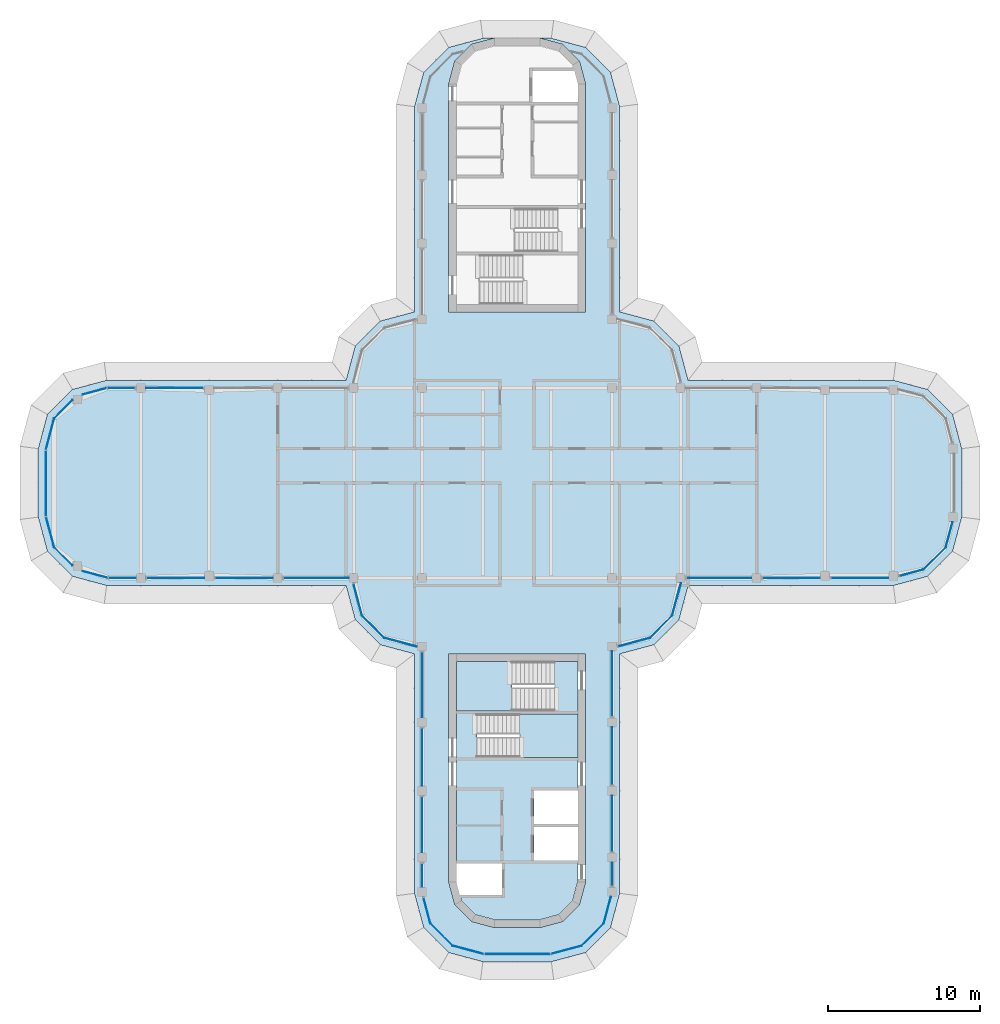
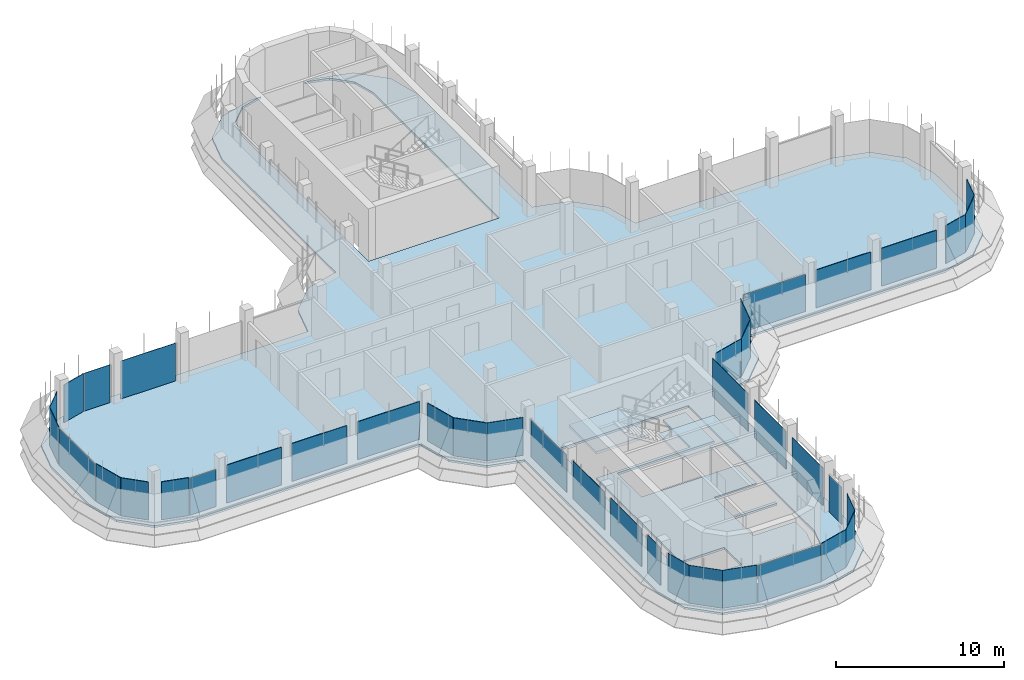
# One storey, part 11 of 19: 40 plates, 4 slabs, 30 elements without a shape of their own.
"""IFC4 building model written with IfcOpenShell, lengths in metres."""

from ifc_helpers import new_model, si_unit, direction, frame, origin, place, context, subcontext, project, spatial, polyline, outline, extrude, source, transform, mapped, material, layer, layer_set, type_object, element, aggregate, save


model = new_model("IFC4")

# Units and contexts
model_context = context("Model", 3, precision=1e-05, world=origin(), true_north=direction((0.0, 1.0)))
body_context = subcontext(model_context, "Body", "Model", "MODEL_VIEW")
ifc_project = project(units=[si_unit("LENGTHUNIT", "METRE"), si_unit("AREAUNIT", "SQUARE_METRE"), si_unit("VOLUMEUNIT", "CUBIC_METRE"), si_unit("PLANEANGLEUNIT", "RADIAN"), si_unit("MASSUNIT", "GRAM", prefix="KILO")], contexts=[model_context])

# Site, building, storey
site_placement = place(None, origin())
site = spatial("IfcSite", under=ifc_project, at=site_placement, CompositionType="ELEMENT")
building_placement = place(site_placement, origin())
building = spatial("IfcBuilding", under=site, at=building_placement, Name="Zarbagh Exchange Tower", CompositionType="ELEMENT")
storey_placement = place(building_placement, frame((0.0, 0.0, 257.39990234375)))
storey = spatial("IfcBuildingStorey", under=building, at=storey_placement, Name="L63", CompositionType="ELEMENT", Elevation=257.39990234375)

# Slabs
ifc_material_1 = material(Name="Concrete C40/50", Category="concrete")
ifc_layer_1 = layer(ifc_material_1, 0.14990234375)
ifc_layer_set_1 = layer_set([ifc_layer_1], Name="Composite floor slab 150 C40/50")
slab_type_1 = type_object("IfcSlabType", Name="Composite floor slab 150 C40/50", PredefinedType="FLOOR", material=ifc_layer_set_1)
slab_1_placement = place(storey_placement, frame((0.0, 0.0, -0.14990234375)))
element("IfcSlab", 1, at=slab_1_placement, inside=storey, type_object=slab_type_1, Name="S5 composite floor slab", PredefinedType="FLOOR", context=body_context, shape_type="SweptSolid", body=[
    extrude(outline(polyline([(-2.25, -31.5), (-4.5, -30.897216796875), (-6.147216796875, -29.25), (-6.75, -27.0), (-6.75, -11.25), (-9.0, -10.647216796875), (-10.647216796875, -9.0), (-11.25, -6.75), (-27.0, -6.75), (-29.25, -6.147216796875), (-30.897216796875, -4.5), (-31.5, -2.25), (-31.5, 2.25), (-30.897216796875, 4.5), (-29.25, 6.147216796875), (-27.0, 6.75), (-11.25, 6.75), (-10.647216796875, 9.0), (-9.0, 10.647216796875), (-6.75, 11.25), (-6.75, 24.75), (-6.147216796875, 27.0), (-4.5, 28.647216796875), (-2.25, 29.25), (-1.5, 29.25), (-3.0, 28.84814453125), (-4.09814453125, 27.75), (-4.5, 26.25), (-4.5, 11.25), (4.5, 11.25), (4.5, 26.25), (4.09814453125, 27.75), (3.0, 28.84814453125), (1.5, 29.25), (2.25, 29.25), (4.5, 28.647216796875), (6.147216796875, 27.0), (6.75, 24.75), (6.75, 11.25), (9.0, 10.647216796875), (10.647216796875, 9.0), (11.25, 6.75), (24.75, 6.75), (27.0, 6.147216796875), (28.647216796875, 4.5), (29.25, 2.25), (29.25, -2.25), (28.647216796875, -4.5), (27.0, -6.147216796875), (24.75, -6.75), (11.25, -6.75), (10.647216796875, -9.0), (9.0, -10.647216796875), (6.75, -11.25), (6.75, -27.0), (6.147216796875, -29.25), (4.5, -30.897216796875), (2.25, -31.5), (-2.25, -31.5)]), holes=[polyline([(-1.5, -29.25), (1.5, -29.25), (3.0, -28.84814453125), (4.09814453125, -27.75), (4.5, -26.25), (4.5, -11.25), (-4.5, -11.25), (-4.5, -26.25), (-4.09814453125, -27.75), (-3.0, -28.84814453125), (-1.5, -29.25)])]), origin(), (0.0, 0.0, 1.0), 0.14990234375),
])
ifc_layer_2 = layer(ifc_material_1, 0.14990234375)
ifc_layer_set_2 = layer_set([ifc_layer_2], Name="Core floor slab 150 C40/50")
slab_type_2 = type_object("IfcSlabType", Name="Core floor slab 150 C40/50", PredefinedType="FLOOR", material=ifc_layer_set_2)
slab_2_placement = place(storey_placement, frame((0.0, 0.0, -0.14990234375)))
element("IfcSlab", 2, at=slab_2_placement, inside=storey, type_object=slab_type_2, Name="S17 core S", PredefinedType="FLOOR", context=body_context, shape_type="SweptSolid", body=[
    extrude(outline(polyline([(-2.7412109375, -28.39990234375), (-3.64990234375, -27.4912109375), (-3.857666015625, -26.715087890625), (-3.754638671875, -27.10009765625), (-1.0, -27.10009765625), (-1.0, -25.050048828125), (-4.0, -25.050048828125), (-4.0, -15.0), (2.449951171875, -15.0), (2.449951171875, -11.75), (4.0, -11.75), (4.0, -15.199951171875), (-2.64990234375, -15.199951171875), (-2.64990234375, -18.050048828125), (4.0, -18.050048828125), (4.0, -20.25), (1.10009765625, -20.25), (1.10009765625, -22.449951171875), (4.0, -22.449951171875), (4.0, -22.64990234375), (1.10009765625, -22.64990234375), (1.10009765625, -24.85009765625), (4.0, -24.85009765625), (4.0, -26.18408203125), (3.64990234375, -27.4912109375), (2.7412109375, -28.39990234375), (1.43408203125, -28.75), (-1.43408203125, -28.75), (-2.7412109375, -28.39990234375)])), origin(), (0.0, 0.0, 1.0), 0.14990234375),
])

# Stair, slab
stair_type = type_object("IfcStairType", Name="Exit stair two-flight half-turn", PredefinedType="HALF_TURN_STAIR", material=ifc_material_1)
stair_1_placement = place(storey_placement, origin())
stair_1 = element("IfcStair", 3, at=stair_1_placement, inside=storey, type_object=stair_type, Name="exit stair ST3", PredefinedType="HALF_TURN_STAIR")
ifc_layer_3 = layer(ifc_material_1, 0.199951171875)
ifc_layer_set_3 = layer_set([ifc_layer_3], Name="Stair landing 200 mm")
slab_type_3 = type_object("IfcSlabType", Name="Stair landing 200 mm", PredefinedType="LANDING", material=ifc_layer_set_3)
slab_3_placement = place(storey_placement, frame((0.0, 0.0, 1.7001953125)))
slab_3 = element("IfcSlab", 4, at=slab_3_placement, type_object=slab_type_3, Name="ST3 landing 1", PredefinedType="LANDING", context=body_context, shape_type="SweptSolid", body=[
    extrude(outline(polyline([(0.14990234375, -18.050048828125), (4.0, -18.050048828125), (4.0, -15.199951171875), (0.14990234375, -15.199951171875), (0.14990234375, -18.050048828125)])), origin(), (0.0, 0.0, 1.0), 0.199951171875),
])
aggregate(stair_1, [slab_3])

stair_2_placement = place(storey_placement, origin())
stair_2 = element("IfcStair", 5, at=stair_2_placement, inside=storey, type_object=stair_type, Name="exit stair ST4", PredefinedType="HALF_TURN_STAIR")
slab_4_placement = place(storey_placement, frame((0.0, 0.0, 1.7001953125)))
slab_4 = element("IfcSlab", 6, at=slab_4_placement, type_object=slab_type_3, Name="ST4 landing 1", PredefinedType="LANDING", context=body_context, shape_type="SweptSolid", body=[
    extrude(outline(polyline([(-0.35009765625, -11.75), (-4.0, -11.75), (-4.0, -15.0), (-0.35009765625, -15.0), (-0.35009765625, -11.75)])), origin(), (0.0, 0.0, 1.0), 0.199951171875),
])
aggregate(stair_2, [slab_4])

# Curtain wall, plate
ifc_material_2 = material(Name="Anodised aluminium frame and glazing", Category="aluminium")
curtain_wall_type = type_object("IfcCurtainWallType", Name="CWB Ribbon glazing, upper zones", PredefinedType="NOTDEFINED", material=ifc_material_2)
curtain_wall_1_placement = place(storey_placement, origin())
curtain_wall_1 = element("IfcCurtainWall", 7, at=curtain_wall_1_placement, inside=storey, type_object=curtain_wall_type, Name="CWB50 curtain wall", PredefinedType="NOTDEFINED")
ifc_material_3 = material(Name="Low-e double glazed unit, 6+12+6 mm")
ifc_layer_4 = layer(ifc_material_3, 0.031982421875)
ifc_layer_set_4 = layer_set([ifc_layer_4], Name="PAB Glazing panel, Low-e double glazed unit, 6+12+6 mm")
plate_type = type_object("IfcPlateType", Name="PAB Glazing panel, Low-e double glazed unit, 6+12+6 mm", PredefinedType="CURTAIN_PANEL", material=ifc_layer_set_4)
shared_shape_1 = source(origin(), body_context, "Body", "SweptSolid", [
    extrude(outline(polyline([(0.0, -0.01611328125), (2.061279296875, -0.01611328125), (2.061279296875, 0.01611328125), (0.0, 0.01611328125), (0.0, -0.01611328125)])), origin(), (0.0, 0.0, 1.0), 2.75),
])
placement = place(storey_placement, origin())
plate_1 = element("IfcPlate", 8, at=placement, type_object=plate_type, Name="CWB50 glazing panel 1.1", PredefinedType="CURTAIN_PANEL", context=body_context, shape_type="MappedRepresentation", body=[
    mapped(shared_shape_1, transform((4.2412109375, -30.44873046875, 0.0), x_axis=(0.707106781187, 0.707106781187, 0.0), y_axis=(-0.707106781187, 0.707106781187, 0.0), z_axis=(0.0, 0.0, 1.0))),
])
aggregate(curtain_wall_1, [plate_1])

curtain_wall_2_placement = place(storey_placement, origin())
curtain_wall_2 = element("IfcCurtainWall", 9, at=curtain_wall_2_placement, inside=storey, type_object=curtain_wall_type, Name="CWB06 curtain wall", PredefinedType="NOTDEFINED")
plate_2 = element("IfcPlate", 10, at=placement, type_object=plate_type, Name="CWB06 glazing panel 1.1", PredefinedType="CURTAIN_PANEL", context=body_context, shape_type="MappedRepresentation", body=[
    mapped(shared_shape_1, transform((8.7412109375, -10.19873046875, 0.0), x_axis=(0.707106781187, 0.707106781187, 0.0), y_axis=(-0.707106781187, 0.707106781187, 0.0), z_axis=(0.0, 0.0, 1.0))),
])
aggregate(curtain_wall_2, [plate_2])

curtain_wall_3_placement = place(storey_placement, origin())
curtain_wall_3 = element("IfcCurtainWall", 11, at=curtain_wall_3_placement, inside=storey, type_object=curtain_wall_type, Name="CWB77 curtain wall", PredefinedType="NOTDEFINED")
plate_3 = element("IfcPlate", 12, at=placement, type_object=plate_type, Name="CWB77 glazing panel 1.1", PredefinedType="CURTAIN_PANEL", context=body_context, shape_type="MappedRepresentation", body=[
    mapped(shared_shape_1, transform((26.7412109375, -5.69873046875, 0.0), x_axis=(0.707106781187, 0.707106781187, 0.0), y_axis=(-0.707106781187, 0.707106781187, 0.0), z_axis=(0.0, 0.0, 1.0))),
])
aggregate(curtain_wall_3, [plate_3])

curtain_wall_4_placement = place(storey_placement, origin())
curtain_wall_4 = element("IfcCurtainWall", 13, at=curtain_wall_4_placement, inside=storey, type_object=curtain_wall_type, Name="CWB42 curtain wall", PredefinedType="NOTDEFINED")
plate_4 = element("IfcPlate", 14, at=placement, type_object=plate_type, Name="CWB42 glazing panel 1.1", PredefinedType="CURTAIN_PANEL", context=body_context, shape_type="MappedRepresentation", body=[
    mapped(shared_shape_1, transform((-10.19873046875, -8.7412109375, 0.0), x_axis=(0.707106781187, -0.707106781187, 0.0), y_axis=(0.707106781187, 0.707106781187, 0.0), z_axis=(0.0, 0.0, 1.0))),
])
aggregate(curtain_wall_4, [plate_4])

curtain_wall_5_placement = place(storey_placement, origin())
curtain_wall_5 = element("IfcCurtainWall", 15, at=curtain_wall_5_placement, inside=storey, type_object=curtain_wall_type, Name="CWB55 curtain wall", PredefinedType="NOTDEFINED")
plate_5 = element("IfcPlate", 16, at=placement, type_object=plate_type, Name="CWB55 glazing panel 1.1", PredefinedType="CURTAIN_PANEL", context=body_context, shape_type="MappedRepresentation", body=[
    mapped(shared_shape_1, transform((-5.69873046875, -28.9912109375, 0.0), x_axis=(0.707106781187, -0.707106781187, 0.0), y_axis=(0.707106781187, 0.707106781187, 0.0), z_axis=(0.0, 0.0, 1.0))),
])
aggregate(curtain_wall_5, [plate_5])

curtain_wall_6_placement = place(storey_placement, origin())
curtain_wall_6 = element("IfcCurtainWall", 17, at=curtain_wall_6_placement, inside=storey, type_object=curtain_wall_type, Name="CWB61 curtain wall", PredefinedType="NOTDEFINED")
shared_shape_2 = source(origin(), body_context, "Body", "SweptSolid", [
    extrude(outline(polyline([(0.0, -0.01611328125), (2.129638671875, -0.01611328125), (2.129638671875, 0.01611328125), (0.0, 0.01611328125), (0.0, -0.01611328125)])), origin(), (0.0, 0.0, 1.0), 2.75),
])
plate_6 = element("IfcPlate", 18, at=placement, type_object=plate_type, Name="CWB61 glazing panel 1.1", PredefinedType="CURTAIN_PANEL", context=body_context, shape_type="MappedRepresentation", body=[
    mapped(shared_shape_2, transform((-30.44873046875, 4.2412109375, 0.0), x_axis=(-0.258824779902, -0.965924289636, 0.0), y_axis=(0.965924289636, -0.258824779902, 0.0), z_axis=(0.0, 0.0, 1.0))),
])
aggregate(curtain_wall_6, [plate_6])

curtain_wall_7_placement = place(storey_placement, origin())
curtain_wall_7 = element("IfcCurtainWall", 19, at=curtain_wall_7_placement, inside=storey, type_object=curtain_wall_type, Name="CWB56 curtain wall", PredefinedType="NOTDEFINED")
plate_7 = element("IfcPlate", 20, at=placement, type_object=plate_type, Name="CWB56 glazing panel 1.1", PredefinedType="CURTAIN_PANEL", context=body_context, shape_type="MappedRepresentation", body=[
    mapped(shared_shape_2, transform((-4.2412109375, -30.44873046875, 0.0), x_axis=(0.965924289636, -0.258824779902, 0.0), y_axis=(0.258824779902, 0.965924289636, 0.0), z_axis=(0.0, 0.0, 1.0))),
])
aggregate(curtain_wall_7, [plate_7])

curtain_wall_8_placement = place(storey_placement, origin())
curtain_wall_8 = element("IfcCurtainWall", 21, at=curtain_wall_8_placement, inside=storey, type_object=curtain_wall_type, Name="CWB65 curtain wall", PredefinedType="NOTDEFINED")
shared_shape_3 = source(origin(), body_context, "Body", "SweptSolid", [
    extrude(outline(polyline([(0.0, -0.01611328125), (1.7841796875, -0.01611328125), (1.7841796875, 0.01611328125), (0.0, 0.01611328125), (0.0, -0.01611328125)])), origin(), (0.0, 0.0, 1.0), 2.68994140625),
])
plate_8 = element("IfcPlate", 22, at=placement, type_object=plate_type, Name="CWB65 glazing panel 1.1", PredefinedType="CURTAIN_PANEL", context=body_context, shape_type="MappedRepresentation", body=[
    mapped(shared_shape_3, transform((-26.874267578125, -6.25, 0.0), x_axis=(1.0, 0.0, 0.0), y_axis=(0.0, 1.0, 0.0), z_axis=(0.0, 0.0, 1.0))),
])

curtain_wall_9_placement = place(storey_placement, origin())
curtain_wall_9 = element("IfcCurtainWall", 23, at=curtain_wall_9_placement, inside=storey, type_object=curtain_wall_type, Name="CWB66 curtain wall", PredefinedType="NOTDEFINED")
shared_shape_4 = source(origin(), body_context, "Body", "SweptSolid", [
    extrude(outline(polyline([(0.0, -0.01611328125), (4.308349609375, -0.01611328125), (4.308349609375, 0.01611328125), (0.0, 0.01611328125), (0.0, -0.01611328125)])), origin(), (0.0, 0.0, 1.0), 2.68994140625),
])
plate_9 = element("IfcPlate", 24, at=placement, type_object=plate_type, Name="CWB66 glazing panel 1.1", PredefinedType="CURTAIN_PANEL", context=body_context, shape_type="MappedRepresentation", body=[
    mapped(shared_shape_4, transform((-31.0, 2.124267578125, 0.0), x_axis=(0.0, -1.0, 0.0), y_axis=(1.0, 0.0, 0.0), z_axis=(0.0, 0.0, 1.0))),
])
aggregate(curtain_wall_9, [plate_9])

curtain_wall_10_placement = place(storey_placement, origin())
curtain_wall_10 = element("IfcCurtainWall", 25, at=curtain_wall_10_placement, inside=storey, type_object=curtain_wall_type, Name="CWB57 curtain wall", PredefinedType="NOTDEFINED")
plate_10 = element("IfcPlate", 26, at=placement, type_object=plate_type, Name="CWB57 glazing panel 1.1", PredefinedType="CURTAIN_PANEL", context=body_context, shape_type="MappedRepresentation", body=[
    mapped(shared_shape_4, transform((-2.124267578125, -31.0, 0.0), x_axis=(1.0, 0.0, 0.0), y_axis=(0.0, 1.0, 0.0), z_axis=(0.0, 0.0, 1.0))),
])
aggregate(curtain_wall_10, [plate_10])

curtain_wall_11_placement = place(storey_placement, origin())
curtain_wall_11 = element("IfcCurtainWall", 27, at=curtain_wall_11_placement, inside=storey, type_object=curtain_wall_type, Name="CWB49 curtain wall", PredefinedType="NOTDEFINED")
shared_shape_5 = source(origin(), body_context, "Body", "SweptSolid", [
    extrude(outline(polyline([(0.0, -0.01611328125), (2.069580078125, -0.01611328125), (2.069580078125, 0.01611328125), (0.0, 0.01611328125), (0.0, -0.01611328125)])), origin(), (0.0, 0.0, 1.0), 2.75),
])
plate_11 = element("IfcPlate", 28, at=placement, type_object=plate_type, Name="CWB49 glazing panel 1.1", PredefinedType="CURTAIN_PANEL", context=body_context, shape_type="MappedRepresentation", body=[
    mapped(shared_shape_5, transform((2.2421875, -30.984375, 0.0), x_axis=(0.965924289636, 0.258824779902, 0.0), y_axis=(-0.258824779902, 0.965924289636, 0.0), z_axis=(0.0, 0.0, 1.0))),
])
aggregate(curtain_wall_11, [plate_11])

curtain_wall_12_placement = place(storey_placement, origin())
curtain_wall_12 = element("IfcCurtainWall", 29, at=curtain_wall_12_placement, inside=storey, type_object=curtain_wall_type, Name="CWB62 curtain wall", PredefinedType="NOTDEFINED")
plate_12 = element("IfcPlate", 30, at=placement, type_object=plate_type, Name="CWB62 glazing panel 1.1", PredefinedType="CURTAIN_PANEL", context=body_context, shape_type="MappedRepresentation", body=[
    mapped(shared_shape_5, transform((-30.984375, -2.2421875, 0.0), x_axis=(0.258824779902, -0.965924289636, 0.0), y_axis=(0.965924289636, 0.258824779902, 0.0), z_axis=(0.0, 0.0, 1.0))),
])
aggregate(curtain_wall_12, [plate_12])

curtain_wall_13_placement = place(storey_placement, origin())
curtain_wall_13 = element("IfcCurtainWall", 31, at=curtain_wall_13_placement, inside=storey, type_object=curtain_wall_type, Name="CWB58 curtain wall", PredefinedType="NOTDEFINED")
shared_shape_6 = source(origin(), body_context, "Body", "SweptSolid", [
    extrude(outline(polyline([(0.0, -0.01611328125), (1.7841796875, -0.01611328125), (1.7841796875, 0.01611328125), (0.0, 0.01611328125), (0.0, -0.01611328125)])), origin(), (0.0, 0.0, 1.0), 2.75),
])
plate_13 = element("IfcPlate", 32, at=placement, type_object=plate_type, Name="CWB58 glazing panel 4.1", PredefinedType="CURTAIN_PANEL", context=body_context, shape_type="MappedRepresentation", body=[
    mapped(shared_shape_6, transform((-25.150146484375, 6.25, 0.0), x_axis=(-1.0, 0.0, 0.0), y_axis=(0.0, -1.0, 0.0), z_axis=(0.0, 0.0, 1.0))),
])

curtain_wall_14_placement = place(storey_placement, origin())
curtain_wall_14 = element("IfcCurtainWall", 33, at=curtain_wall_14_placement, inside=storey, type_object=curtain_wall_type, Name="CWB78 curtain wall", PredefinedType="NOTDEFINED")
shared_shape_7 = source(origin(), body_context, "Body", "SweptSolid", [
    extrude(outline(polyline([(0.0, -0.01611328125), (1.70947265625, -0.01611328125), (1.70947265625, 0.01611328125), (0.0, 0.01611328125), (0.0, -0.01611328125)])), origin(), (0.0, 0.0, 1.0), 2.75),
])
plate_14 = element("IfcPlate", 34, at=placement, type_object=plate_type, Name="CWB78 glazing panel 1.1", PredefinedType="CURTAIN_PANEL", context=body_context, shape_type="MappedRepresentation", body=[
    mapped(shared_shape_7, transform((28.19873046875, -4.2412109375, 0.0), x_axis=(0.258824779902, 0.965924289636, 0.0), y_axis=(-0.965924289636, 0.258824779902, 0.0), z_axis=(0.0, 0.0, 1.0))),
])
aggregate(curtain_wall_14, [plate_14])

curtain_wall_15_placement = place(storey_placement, origin())
curtain_wall_15 = element("IfcCurtainWall", 35, at=curtain_wall_15_placement, inside=storey, type_object=curtain_wall_type, Name="CWB76 curtain wall", PredefinedType="NOTDEFINED")
shared_shape_8 = source(origin(), body_context, "Body", "SweptSolid", [
    extrude(outline(polyline([(0.0, -0.01611328125), (1.6494140625, -0.01611328125), (1.6494140625, 0.01611328125), (0.0, 0.01611328125), (0.0, -0.01611328125)])), origin(), (0.0, 0.0, 1.0), 2.75),
])
plate_15 = element("IfcPlate", 36, at=placement, type_object=plate_type, Name="CWB76 glazing panel 1.1", PredefinedType="CURTAIN_PANEL", context=body_context, shape_type="MappedRepresentation", body=[
    mapped(shared_shape_8, transform((25.14794921875, -6.125732421875, 0.0), x_axis=(0.965924289636, 0.258824779902, 0.0), y_axis=(-0.258824779902, 0.965924289636, 0.0), z_axis=(0.0, 0.0, 1.0))),
])
aggregate(curtain_wall_15, [plate_15])

curtain_wall_16_placement = place(storey_placement, origin())
curtain_wall_16 = element("IfcCurtainWall", 37, at=curtain_wall_16_placement, inside=storey, type_object=curtain_wall_type, Name="CWB52 curtain wall", PredefinedType="NOTDEFINED")
shared_shape_9 = source(origin(), body_context, "Body", "SweptSolid", [
    extrude(outline(polyline([(0.0, -0.01611328125), (3.659912109375, -0.01611328125), (3.659912109375, 0.01611328125), (0.0, 0.01611328125), (0.0, -0.01611328125)])), origin(), (0.0, 0.0, 1.0), 2.75),
])
plate_16 = element("IfcPlate", 38, at=placement, type_object=plate_type, Name="CWB52 glazing panel 2.1", PredefinedType="CURTAIN_PANEL", context=body_context, shape_type="MappedRepresentation", body=[
    mapped(shared_shape_9, transform((6.25, -24.25, 0.0), x_axis=(0.0, 1.0, 0.0), y_axis=(-1.0, 0.0, 0.0), z_axis=(0.0, 0.0, 1.0))),
])

curtain_wall_17_placement = place(storey_placement, origin())
curtain_wall_17 = element("IfcCurtainWall", 39, at=curtain_wall_17_placement, inside=storey, type_object=curtain_wall_type, Name="CWB53 curtain wall", PredefinedType="NOTDEFINED")
plate_17 = element("IfcPlate", 40, at=placement, type_object=plate_type, Name="CWB53 glazing panel 3.1", PredefinedType="CURTAIN_PANEL", context=body_context, shape_type="MappedRepresentation", body=[
    mapped(shared_shape_9, transform((-6.25, -20.650146484375, 0.0), x_axis=(0.0, -1.0, 0.0), y_axis=(1.0, 0.0, 0.0), z_axis=(0.0, 0.0, 1.0))),
])

curtain_wall_18_placement = place(storey_placement, origin())
curtain_wall_18 = element("IfcCurtainWall", 41, at=curtain_wall_18_placement, inside=storey, type_object=curtain_wall_type, Name="CWB51 curtain wall", PredefinedType="NOTDEFINED")
shared_shape_10 = source(origin(), body_context, "Body", "SweptSolid", [
    extrude(outline(polyline([(0.0, -0.01611328125), (1.81298828125, -0.01611328125), (1.81298828125, 0.01611328125), (0.0, 0.01611328125), (0.0, -0.01611328125)])), origin(), (0.0, 0.0, 1.0), 2.75),
])
plate_18 = element("IfcPlate", 42, at=placement, type_object=plate_type, Name="CWB51 glazing panel 1.1", PredefinedType="CURTAIN_PANEL", context=body_context, shape_type="MappedRepresentation", body=[
    mapped(shared_shape_10, transform((5.69873046875, -28.9912109375, 0.0), x_axis=(0.258824779902, 0.965924289636, 0.0), y_axis=(-0.965924289636, 0.258824779902, 0.0), z_axis=(0.0, 0.0, 1.0))),
])
aggregate(curtain_wall_18, [plate_18])

# Plate
shared_shape_11 = source(origin(), body_context, "Body", "SweptSolid", [
    extrude(outline(polyline([(0.0, -0.01611328125), (1.510009765625, -0.01611328125), (1.510009765625, 0.01611328125), (0.0, 0.01611328125), (0.0, -0.01611328125)])), origin(), (0.0, 0.0, 1.0), 2.68994140625),
])
plate_19 = element("IfcPlate", 43, at=placement, type_object=plate_type, Name="CWB52 glazing panel 1.1", PredefinedType="CURTAIN_PANEL", context=body_context, shape_type="MappedRepresentation", body=[
    mapped(shared_shape_11, transform((6.25, -26.5, 0.0), x_axis=(0.0, 1.0, 0.0), y_axis=(-1.0, 0.0, 0.0), z_axis=(0.0, 0.0, 1.0))),
])

shared_shape_12 = source(origin(), body_context, "Body", "SweptSolid", [
    extrude(outline(polyline([(0.0, -0.01611328125), (3.760009765625, -0.01611328125), (3.760009765625, 0.01611328125), (0.0, 0.01611328125), (0.0, -0.01611328125)])), origin(), (0.0, 0.0, 1.0), 2.75),
])
plate_20 = element("IfcPlate", 44, at=placement, type_object=plate_type, Name="CWB52 glazing panel 3.1", PredefinedType="CURTAIN_PANEL", context=body_context, shape_type="MappedRepresentation", body=[
    mapped(shared_shape_12, transform((6.25, -19.849853515625, 0.0), x_axis=(0.0, 1.0, 0.0), y_axis=(-1.0, 0.0, 0.0), z_axis=(0.0, 0.0, 1.0))),
])

# Curtain wall, plates
curtain_wall_19_placement = place(storey_placement, origin())
curtain_wall_19 = element("IfcCurtainWall", 45, at=curtain_wall_19_placement, inside=storey, type_object=curtain_wall_type, Name="CWB75 curtain wall", PredefinedType="NOTDEFINED")
plate_21 = element("IfcPlate", 46, at=placement, type_object=plate_type, Name="CWB75 glazing panel 2.1", PredefinedType="CURTAIN_PANEL", context=body_context, shape_type="MappedRepresentation", body=[
    mapped(shared_shape_12, transform((16.150146484375, -6.25, 0.0), x_axis=(1.0, 0.0, 0.0), y_axis=(0.0, 1.0, 0.0), z_axis=(0.0, 0.0, 1.0))),
])
plate_22 = element("IfcPlate", 47, at=placement, type_object=plate_type, Name="CWB75 glazing panel 3.1", PredefinedType="CURTAIN_PANEL", context=body_context, shape_type="MappedRepresentation", body=[
    mapped(shared_shape_12, transform((20.650146484375, -6.25, 0.0), x_axis=(1.0, 0.0, 0.0), y_axis=(0.0, 1.0, 0.0), z_axis=(0.0, 0.0, 1.0))),
])

# Plate
plate_23 = element("IfcPlate", 48, at=placement, type_object=plate_type, Name="CWB58 glazing panel 3.1", PredefinedType="CURTAIN_PANEL", context=body_context, shape_type="MappedRepresentation", body=[
    mapped(shared_shape_12, transform((-20.650146484375, 6.25, 0.0), x_axis=(-1.0, 0.0, 0.0), y_axis=(0.0, -1.0, 0.0), z_axis=(0.0, 0.0, 1.0))),
])

aggregate(curtain_wall_13, [plate_23, plate_13])

plate_24 = element("IfcPlate", 49, at=placement, type_object=plate_type, Name="CWB65 glazing panel 2.1", PredefinedType="CURTAIN_PANEL", context=body_context, shape_type="MappedRepresentation", body=[
    mapped(shared_shape_12, transform((-24.349853515625, -6.25, 0.0), x_axis=(1.0, 0.0, 0.0), y_axis=(0.0, 1.0, 0.0), z_axis=(0.0, 0.0, 1.0))),
])

plate_25 = element("IfcPlate", 50, at=placement, type_object=plate_type, Name="CWB65 glazing panel 3.1", PredefinedType="CURTAIN_PANEL", context=body_context, shape_type="MappedRepresentation", body=[
    mapped(shared_shape_12, transform((-19.849853515625, -6.25, 0.0), x_axis=(1.0, 0.0, 0.0), y_axis=(0.0, 1.0, 0.0), z_axis=(0.0, 0.0, 1.0))),
])

plate_26 = element("IfcPlate", 51, at=placement, type_object=plate_type, Name="CWB53 glazing panel 2.1", PredefinedType="CURTAIN_PANEL", context=body_context, shape_type="MappedRepresentation", body=[
    mapped(shared_shape_12, transform((-6.25, -16.150146484375, 0.0), x_axis=(0.0, -1.0, 0.0), y_axis=(1.0, 0.0, 0.0), z_axis=(0.0, 0.0, 1.0))),
])

shared_shape_13 = source(origin(), body_context, "Body", "SweptSolid", [
    extrude(outline(polyline([(0.0, -0.01611328125), (4.260009765625, -0.01611328125), (4.260009765625, 0.01611328125), (0.0, 0.01611328125), (0.0, -0.01611328125)])), origin(), (0.0, 0.0, 1.0), 2.75),
])
plate_27 = element("IfcPlate", 52, at=placement, type_object=plate_type, Name="CWB52 glazing panel 4.1", PredefinedType="CURTAIN_PANEL", context=body_context, shape_type="MappedRepresentation", body=[
    mapped(shared_shape_13, transform((6.25, -15.349853515625, 0.0), x_axis=(0.0, 1.0, 0.0), y_axis=(-1.0, 0.0, 0.0), z_axis=(0.0, 0.0, 1.0))),
])

aggregate(curtain_wall_16, [plate_19, plate_16, plate_20, plate_27])

plate_28 = element("IfcPlate", 53, at=placement, type_object=plate_type, Name="CWB65 glazing panel 4.1", PredefinedType="CURTAIN_PANEL", context=body_context, shape_type="MappedRepresentation", body=[
    mapped(shared_shape_13, transform((-15.349853515625, -6.25, 0.0), x_axis=(1.0, 0.0, 0.0), y_axis=(0.0, 1.0, 0.0), z_axis=(0.0, 0.0, 1.0))),
])

aggregate(curtain_wall_8, [plate_8, plate_24, plate_25, plate_28])

# Curtain wall, plate
curtain_wall_20_placement = place(storey_placement, origin())
curtain_wall_20 = element("IfcCurtainWall", 54, at=curtain_wall_20_placement, inside=storey, type_object=curtain_wall_type, Name="CWB05 curtain wall", PredefinedType="NOTDEFINED")
shared_shape_14 = source(origin(), body_context, "Body", "SweptSolid", [
    extrude(outline(polyline([(0.0, -0.01611328125), (2.1669921875, -0.01611328125), (2.1669921875, 0.01611328125), (0.0, 0.01611328125), (0.0, -0.01611328125)])), origin(), (0.0, 0.0, 1.0), 2.75),
])
plate_29 = element("IfcPlate", 55, at=placement, type_object=plate_type, Name="CWB05 glazing panel 1.1", PredefinedType="CURTAIN_PANEL", context=body_context, shape_type="MappedRepresentation", body=[
    mapped(shared_shape_14, transform((6.64794921875, -10.759765625, 0.0), x_axis=(0.965924289636, 0.258824779902, 0.0), y_axis=(-0.258824779902, 0.965924289636, 0.0), z_axis=(0.0, 0.0, 1.0))),
])
aggregate(curtain_wall_20, [plate_29])

curtain_wall_21_placement = place(storey_placement, origin())
curtain_wall_21 = element("IfcCurtainWall", 56, at=curtain_wall_21_placement, inside=storey, type_object=curtain_wall_type, Name="CWB41 curtain wall", PredefinedType="NOTDEFINED")
plate_30 = element("IfcPlate", 57, at=placement, type_object=plate_type, Name="CWB41 glazing panel 1.1", PredefinedType="CURTAIN_PANEL", context=body_context, shape_type="MappedRepresentation", body=[
    mapped(shared_shape_14, transform((-10.759765625, -6.64794921875, 0.0), x_axis=(0.258824779902, -0.965924289636, 0.0), y_axis=(0.965924289636, 0.258824779902, 0.0), z_axis=(0.0, 0.0, 1.0))),
])
aggregate(curtain_wall_21, [plate_30])

curtain_wall_22_placement = place(storey_placement, origin())
curtain_wall_22 = element("IfcCurtainWall", 58, at=curtain_wall_22_placement, inside=storey, type_object=curtain_wall_type, Name="CWB07 curtain wall", PredefinedType="NOTDEFINED")
shared_shape_15 = source(origin(), body_context, "Body", "SweptSolid", [
    extrude(outline(polyline([(0.0, -0.01611328125), (2.22705078125, -0.01611328125), (2.22705078125, 0.01611328125), (0.0, 0.01611328125), (0.0, -0.01611328125)])), origin(), (0.0, 0.0, 1.0), 2.75),
])
plate_31 = element("IfcPlate", 59, at=placement, type_object=plate_type, Name="CWB07 glazing panel 1.1", PredefinedType="CURTAIN_PANEL", context=body_context, shape_type="MappedRepresentation", body=[
    mapped(shared_shape_15, transform((10.19873046875, -8.7412109375, 0.0), x_axis=(0.258824779902, 0.965924289636, 0.0), y_axis=(-0.965924289636, 0.258824779902, 0.0), z_axis=(0.0, 0.0, 1.0))),
])
aggregate(curtain_wall_22, [plate_31])

curtain_wall_23_placement = place(storey_placement, origin())
curtain_wall_23 = element("IfcCurtainWall", 60, at=curtain_wall_23_placement, inside=storey, type_object=curtain_wall_type, Name="CWB43 curtain wall", PredefinedType="NOTDEFINED")
plate_32 = element("IfcPlate", 61, at=placement, type_object=plate_type, Name="CWB43 glazing panel 1.1", PredefinedType="CURTAIN_PANEL", context=body_context, shape_type="MappedRepresentation", body=[
    mapped(shared_shape_15, transform((-8.7412109375, -10.19873046875, 0.0), x_axis=(0.965924289636, -0.258824779902, 0.0), y_axis=(0.258824779902, 0.965924289636, 0.0), z_axis=(0.0, 0.0, 1.0))),
])
aggregate(curtain_wall_23, [plate_32])

# Plate
shared_shape_16 = source(origin(), body_context, "Body", "SweptSolid", [
    extrude(outline(polyline([(0.0, -0.01611328125), (4.260009765625, -0.01611328125), (4.260009765625, 0.01611328125), (0.0, 0.01611328125), (0.0, -0.01611328125)])), origin(), (0.0, 0.0, 1.0), 2.68994140625),
])
plate_33 = element("IfcPlate", 62, at=placement, type_object=plate_type, Name="CWB75 glazing panel 1.1", PredefinedType="CURTAIN_PANEL", context=body_context, shape_type="MappedRepresentation", body=[
    mapped(shared_shape_16, transform((11.150146484375, -6.25, 0.0), x_axis=(1.0, 0.0, 0.0), y_axis=(0.0, 1.0, 0.0), z_axis=(0.0, 0.0, 1.0))),
])

aggregate(curtain_wall_19, [plate_33, plate_21, plate_22])

plate_34 = element("IfcPlate", 63, at=placement, type_object=plate_type, Name="CWB53 glazing panel 1.1", PredefinedType="CURTAIN_PANEL", context=body_context, shape_type="MappedRepresentation", body=[
    mapped(shared_shape_16, transform((-6.25, -11.150146484375, 0.0), x_axis=(0.0, -1.0, 0.0), y_axis=(1.0, 0.0, 0.0), z_axis=(0.0, 0.0, 1.0))),
])

# Curtain wall, plate
curtain_wall_24_placement = place(storey_placement, origin())
curtain_wall_24 = element("IfcCurtainWall", 64, at=curtain_wall_24_placement, inside=storey, type_object=curtain_wall_type, Name="CWB54 curtain wall", PredefinedType="NOTDEFINED")
shared_shape_17 = source(origin(), body_context, "Body", "SweptSolid", [
    extrude(outline(polyline([(0.0, -0.01611328125), (1.7529296875, -0.01611328125), (1.7529296875, 0.01611328125), (0.0, 0.01611328125), (0.0, -0.01611328125)])), origin(), (0.0, 0.0, 1.0), 2.75),
])
plate_35 = element("IfcPlate", 65, at=placement, type_object=plate_type, Name="CWB54 glazing panel 1.1", PredefinedType="CURTAIN_PANEL", context=body_context, shape_type="MappedRepresentation", body=[
    mapped(shared_shape_17, transform((-6.152587890625, -27.2978515625, 0.0), x_axis=(0.258824779902, -0.965924289636, 0.0), y_axis=(0.965924289636, 0.258824779902, 0.0), z_axis=(0.0, 0.0, 1.0))),
])
aggregate(curtain_wall_24, [plate_35])

curtain_wall_25_placement = place(storey_placement, origin())
curtain_wall_25 = element("IfcCurtainWall", 66, at=curtain_wall_25_placement, inside=storey, type_object=curtain_wall_type, Name="CWB59 curtain wall", PredefinedType="NOTDEFINED")
shared_shape_18 = source(origin(), body_context, "Body", "SweptSolid", [
    extrude(outline(polyline([(0.0, -0.01611328125), (1.631591796875, -0.01611328125), (1.631591796875, 0.01611328125), (0.0, 0.01611328125), (0.0, -0.01611328125)])), origin(), (0.0, 0.0, 1.0), 2.75),
])
plate_36 = element("IfcPlate", 67, at=placement, type_object=plate_type, Name="CWB59 glazing panel 1.1", PredefinedType="CURTAIN_PANEL", context=body_context, shape_type="MappedRepresentation", body=[
    mapped(shared_shape_18, transform((-26.9921875, 6.234375, 0.0), x_axis=(-0.965924289636, -0.258824779902, 0.0), y_axis=(0.258824779902, -0.965924289636, 0.0), z_axis=(0.0, 0.0, 1.0))),
])
aggregate(curtain_wall_25, [plate_36])

curtain_wall_26_placement = place(storey_placement, origin())
curtain_wall_26 = element("IfcCurtainWall", 68, at=curtain_wall_26_placement, inside=storey, type_object=curtain_wall_type, Name="CWB60 curtain wall", PredefinedType="NOTDEFINED")
shared_shape_19 = source(origin(), body_context, "Body", "SweptSolid", [
    extrude(outline(polyline([(0.0, -0.01611328125), (1.6982421875, -0.01611328125), (1.6982421875, 0.01611328125), (0.0, 0.01611328125), (0.0, -0.01611328125)])), origin(), (0.0, 0.0, 1.0), 2.75),
])
plate_37 = element("IfcPlate", 69, at=placement, type_object=plate_type, Name="CWB60 glazing panel 1.1", PredefinedType="CURTAIN_PANEL", context=body_context, shape_type="MappedRepresentation", body=[
    mapped(shared_shape_19, transform((-29.248046875, 5.44189453125, 0.0), x_axis=(-0.707106781187, -0.707106781187, 0.0), y_axis=(0.707106781187, -0.707106781187, 0.0), z_axis=(0.0, 0.0, 1.0))),
])
aggregate(curtain_wall_26, [plate_37])

curtain_wall_27_placement = place(storey_placement, origin())
curtain_wall_27 = element("IfcCurtainWall", 70, at=curtain_wall_27_placement, inside=storey, type_object=curtain_wall_type, Name="CWB63 curtain wall", PredefinedType="NOTDEFINED")
plate_38 = element("IfcPlate", 71, at=placement, type_object=plate_type, Name="CWB63 glazing panel 1.1", PredefinedType="CURTAIN_PANEL", context=body_context, shape_type="MappedRepresentation", body=[
    mapped(shared_shape_19, transform((-30.44873046875, -4.2412109375, 0.0), x_axis=(0.707106781187, -0.707106781187, 0.0), y_axis=(0.707106781187, 0.707106781187, 0.0), z_axis=(0.0, 0.0, 1.0))),
])
aggregate(curtain_wall_27, [plate_38])

curtain_wall_28_placement = place(storey_placement, origin())
curtain_wall_28 = element("IfcCurtainWall", 72, at=curtain_wall_28_placement, inside=storey, type_object=curtain_wall_type, Name="CWB64 curtain wall", PredefinedType="NOTDEFINED")
shared_shape_20 = source(origin(), body_context, "Body", "SweptSolid", [
    extrude(outline(polyline([(0.0, -0.01611328125), (1.69140625, -0.01611328125), (1.69140625, 0.01611328125), (0.0, 0.01611328125), (0.0, -0.01611328125)])), origin(), (0.0, 0.0, 1.0), 2.75),
])
plate_39 = element("IfcPlate", 73, at=placement, type_object=plate_type, Name="CWB64 glazing panel 1.1", PredefinedType="CURTAIN_PANEL", context=body_context, shape_type="MappedRepresentation", body=[
    mapped(shared_shape_20, transform((-28.568115234375, -5.812255859375, 0.0), x_axis=(0.965924289636, -0.258824779902, 0.0), y_axis=(0.258824779902, 0.965924289636, 0.0), z_axis=(0.0, 0.0, 1.0))),
])
aggregate(curtain_wall_28, [plate_39])

# Plate
shared_shape_21 = source(origin(), body_context, "Body", "SweptSolid", [
    extrude(outline(polyline([(0.0, -0.01611328125), (1.510009765625, -0.01611328125), (1.510009765625, 0.01611328125), (0.0, 0.01611328125), (0.0, -0.01611328125)])), origin(), (0.0, 0.0, 1.0), 2.75),
])
plate_40 = element("IfcPlate", 74, at=placement, type_object=plate_type, Name="CWB53 glazing panel 4.1", PredefinedType="CURTAIN_PANEL", context=body_context, shape_type="MappedRepresentation", body=[
    mapped(shared_shape_21, transform((-6.25, -25.050048828125, 0.0), x_axis=(0.0, -1.0, 0.0), y_axis=(1.0, 0.0, 0.0), z_axis=(0.0, 0.0, 1.0))),
])

aggregate(curtain_wall_17, [plate_34, plate_26, plate_17, plate_40])

save(model, "model.ifc")
